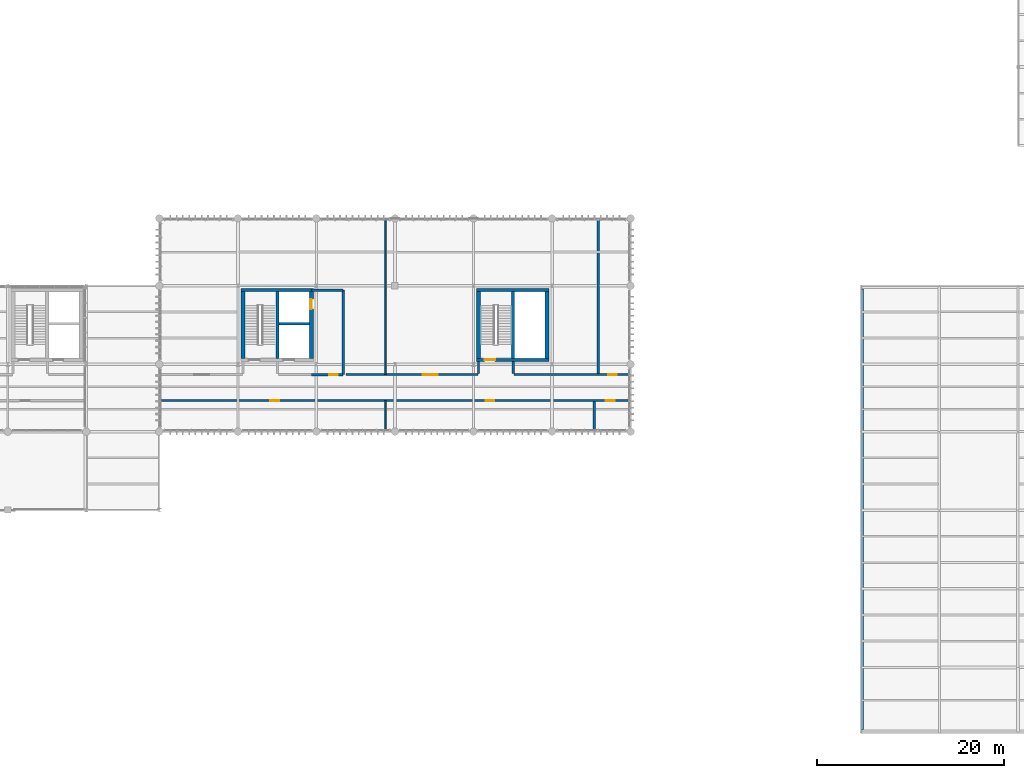
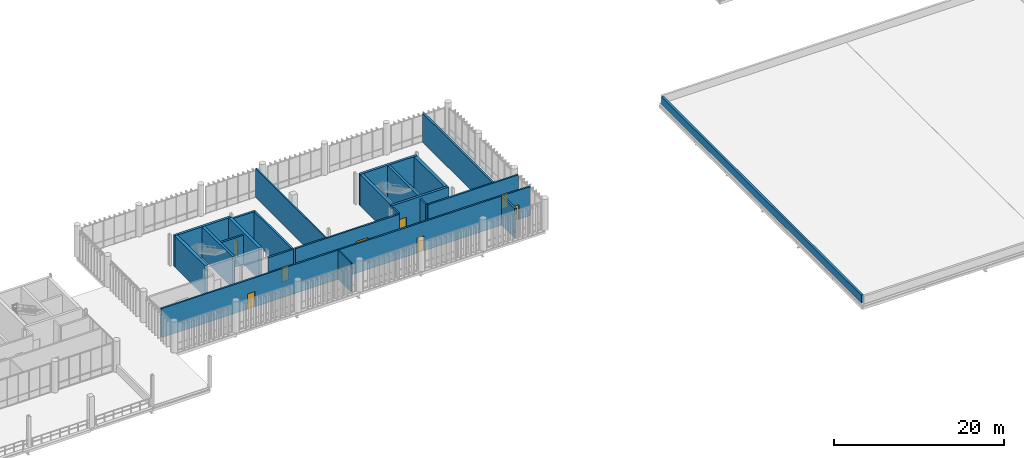
# One storey, part 58 of 68: 23 walls, 8 doors, 8 openings.
"""IFC4 building model written with IfcOpenShell, lengths in metres."""

from ifc_helpers import new_model, si_unit, direction, frame, frame_2d, origin_with_axes, place, context, subcontext, project, spatial, rectangle, extrude, material, layer, layer_set, type_object, element, fill, save


model = new_model("IFC4")

# Units and contexts
model_context = context("Model", 3, precision=1e-05, world=origin_with_axes(), true_north=direction((0.0, 1.0)))
body_context = subcontext(model_context, "Body", "Model", "MODEL_VIEW")
ifc_project = project(units=[si_unit("LENGTHUNIT", "METRE"), si_unit("AREAUNIT", "SQUARE_METRE"), si_unit("VOLUMEUNIT", "CUBIC_METRE"), si_unit("PLANEANGLEUNIT", "RADIAN"), si_unit("MASSUNIT", "GRAM", prefix="KILO"), si_unit("THERMODYNAMICTEMPERATUREUNIT", "KELVIN")], contexts=[model_context])

# Site, building, storey
site_placement = place(None, origin_with_axes())
site = spatial("IfcSite", under=ifc_project, at=site_placement, CompositionType="ELEMENT")
building_placement = place(site_placement, origin_with_axes())
building = spatial("IfcBuilding", under=site, at=building_placement, Name="Montbau Bow Law Courts", CompositionType="ELEMENT")
storey_placement = place(building_placement, frame((0.0, 0.0, 20.4), z_axis=(0.0, 0.0, 1.0), x_axis=(1.0, 0.0, 0.0)))
storey = spatial("IfcBuildingStorey", under=building, at=storey_placement, Name="L04", CompositionType="ELEMENT", Elevation=20.4)

# Wall, opening, door
ifc_material_1 = material(Name="Concrete CSA A23.1 f'c 45 MPa", Category="concrete")
ifc_layer_1 = layer(ifc_material_1, 0.42, Name="Shear Wall", Category="concrete")
ifc_layer_set_1 = layer_set([ifc_layer_1], Name="Concrete CSA A23.1 f'c 45 MPa")
wall_type_1 = type_object("IfcWallType", Name="W-COR-03", PredefinedType="SHEAR", material=ifc_layer_set_1)
wall_1_placement = place(None, frame((63.06, 46.84, 20.4), z_axis=(0.0, 0.0, 1.0), x_axis=(0.0, 1.0, 0.0)))
wall_1 = element("IfcWall", 1, at=wall_1_placement, inside=storey, type_object=wall_type_1, Name="WC-L04-0180:wal_0247", PredefinedType="SHEAR", context=body_context, shape_type="SweptSolid", body=[
    extrude(rectangle(XDim=7.119999999999997, YDim=0.42, at=frame_2d((3.56, 0.0), x_axis=(1.0, 0.0))), origin_with_axes(), (0.0, 0.0, 1.0), 4.5),
])
opening_1_placement = place(None, frame((63.06, 52.64, 20.4), z_axis=(0.0, 0.0, 1.0), x_axis=(0.0, 1.0, 0.0)))
opening_1 = element("IfcOpeningElement", 2, at=opening_1_placement, cuts=wall_1, Name="OP-LD-L04-EL-J3", PredefinedType="OPENING", context=body_context, shape_type="SweptSolid", body=[
    extrude(rectangle(XDim=1.06, YDim=2.16, at=frame_2d((0.0, 1.08), x_axis=(1.0, 0.0))), frame((0.0, 0.22, 0.0), z_axis=(0.0, -1.0, 0.0), x_axis=(1.0, 0.0, 0.0)), (0.0, 0.0, 1.0), 0.44),
])
ifc_material_2 = material(Name="Bronze-Clad Judicial Elevator Landing Door", Category="steel")
door_type_1 = type_object("IfcDoorType", Name="LD-JUD-01", OperationType="NOTDEFINED", ParameterTakesPrecedence=False, PredefinedType="DOOR", material=ifc_material_2)
door_1_placement = place(None, frame((63.06, 52.64, 20.4), z_axis=(0.0, 0.0, 1.0), x_axis=(0.0, 1.0, 0.0)))
door_1 = element("IfcDoor", 3, at=door_1_placement, inside=storey, type_object=door_type_1, Name="LD-L04-EL-J3:dor_0111", OperationType="SLIDING_TO_LEFT", OverallHeight=2.16, OverallWidth=1.06, PredefinedType="DOOR", context=body_context, shape_type="SweptSolid", body=[
    extrude(rectangle(XDim=1.06, YDim=2.16, at=frame_2d((0.0, 1.08), x_axis=(1.0, 0.0))), frame((0.0, 0.04, 0.0), z_axis=(0.0, -1.0, 0.0), x_axis=(1.0, 0.0, 0.0)), (0.0, 0.0, 1.0), 0.08),
])
fill(opening_1, door_1)

# Walls
for number, where, z_axis, x_axis, name in (
    (4, (55.74, 53.96, 20.4), (0.0, 0.0, 1.0), (0.0, -1.0, 0.0), "WC-L04-0181:wal_0248"),
    (5, (88.26, 46.84, 20.4), (0.0, 0.0, 1.0), (0.0, 1.0, 0.0), "WC-L04-0241:wal_0308"),
    (6, (80.94, 53.96, 20.4), (0.0, 0.0, 1.0), (0.0, -1.0, 0.0), "WC-L04-0242:wal_0309"),
):
    element("IfcWall", number, at=place(None, frame(where, z_axis=z_axis, x_axis=x_axis)), inside=storey, type_object=wall_type_1, Name=name, PredefinedType="SHEAR", context=body_context, shape_type="SweptSolid", body=[
        extrude(rectangle(XDim=7.119999999999997, YDim=0.42, at=frame_2d((3.56, 0.0), x_axis=(1.0, 0.0))), origin_with_axes(), (0.0, 0.0, 1.0), 4.5),
    ])
ifc_layer_2 = layer(ifc_material_1, 0.32, Name="Shear Wall", Category="concrete")
ifc_layer_set_2 = layer_set([ifc_layer_2], Name="Concrete CSA A23.1 f'c 45 MPa")
wall_type_2 = type_object("IfcWallType", Name="W-COR-05", PredefinedType="SHEAR", material=ifc_layer_set_2)
wall_2_placement = place(None, frame((63.27, 54.12, 20.4), z_axis=(0.0, 0.0, 1.0), x_axis=(-1.0, 0.0, 0.0)))
element("IfcWall", 7, at=wall_2_placement, inside=storey, type_object=wall_type_2, Name="WC-L04-0179:wal_0246", PredefinedType="SHEAR", context=body_context, shape_type="SweptSolid", body=[
    extrude(rectangle(XDim=7.740000000000002, YDim=0.32, at=frame_2d((3.87, 0.0), x_axis=(1.0, 0.0))), origin_with_axes(), (0.0, 0.0, 1.0), 4.5),
])
wall_3_placement = place(None, frame((59.42, 46.84, 20.4), z_axis=(0.0, 0.0, 1.0), x_axis=(0.0, 1.0, 0.0)))
element("IfcWall", 8, at=wall_3_placement, inside=storey, type_object=wall_type_2, Name="WS-L04-0182:wal_0249", PredefinedType="SHEAR", context=body_context, shape_type="SweptSolid", body=[
    extrude(rectangle(XDim=7.119999999999997, YDim=0.32, at=frame_2d((3.56, 0.0), x_axis=(1.0, 0.0))), origin_with_axes(), (0.0, 0.0, 1.0), 4.5),
])

# Wall, opening, door
wall_4_placement = place(None, frame((80.73, 46.68, 20.4), z_axis=(0.0, 0.0, 1.0), x_axis=(1.0, 0.0, 0.0)))
wall_4 = element("IfcWall", 9, at=wall_4_placement, inside=storey, type_object=wall_type_2, Name="WC-L04-0239:wal_0306", PredefinedType="SHEAR", context=body_context, shape_type="SweptSolid", body=[
    extrude(rectangle(XDim=7.739999999999995, YDim=0.32, at=frame_2d((3.87, 0.0), x_axis=(1.0, 0.0))), origin_with_axes(), (0.0, 0.0, 1.0), 4.5),
])
opening_2_placement = place(None, frame((82.15, 46.68, 20.4), z_axis=(0.0, 0.0, 1.0), x_axis=(1.0, 0.0, 0.0)))
opening_2 = element("IfcOpeningElement", 10, at=opening_2_placement, cuts=wall_4, Name="OP-D-L04-ST-P3", PredefinedType="OPENING", context=body_context, shape_type="SweptSolid", body=[
    extrude(rectangle(XDim=1.14, YDim=2.18, at=frame_2d((0.0, 1.09), x_axis=(1.0, 0.0))), frame((0.0, 0.17, 0.0), z_axis=(0.0, -1.0, 0.0), x_axis=(1.0, 0.0, 0.0)), (0.0, 0.0, 1.0), 0.34),
])
ifc_material_3 = material(Name="1.5 h Fire-Rated Hollow-Metal Exit Stair Door", Category="steel")
door_type_2 = type_object("IfcDoorType", Name="D-ST-01", OperationType="NOTDEFINED", ParameterTakesPrecedence=False, PredefinedType="DOOR", material=ifc_material_3)
door_2_placement = place(None, frame((82.15, 46.68, 20.4), z_axis=(0.0, 0.0, 1.0), x_axis=(-1.0, 0.0, 0.0)))
door_2 = element("IfcDoor", 11, at=door_2_placement, inside=storey, type_object=door_type_2, Name="D-L04-ST-P3:dor_0130", OperationType="SINGLE_SWING_RIGHT", OverallHeight=2.18, OverallWidth=1.14, PredefinedType="DOOR", context=body_context, shape_type="SweptSolid", body=[
    extrude(rectangle(XDim=1.14, YDim=2.18, at=frame_2d((0.0, 1.09), x_axis=(1.0, 0.0))), frame((0.0, 0.04, 0.0), z_axis=(0.0, -1.0, 0.0), x_axis=(1.0, 0.0, 0.0)), (0.0, 0.0, 1.0), 0.08),
])
fill(opening_2, door_2)

# Walls
wall_5_placement = place(None, frame((88.47, 54.12, 20.4), z_axis=(0.0, 0.0, 1.0), x_axis=(-1.0, 0.0, 0.0)))
element("IfcWall", 12, at=wall_5_placement, inside=storey, type_object=wall_type_2, Name="WC-L04-0240:wal_0307", PredefinedType="SHEAR", context=body_context, shape_type="SweptSolid", body=[
    extrude(rectangle(XDim=7.739999999999995, YDim=0.32, at=frame_2d((3.87, 0.0), x_axis=(1.0, 0.0))), origin_with_axes(), (0.0, 0.0, 1.0), 4.5),
])
wall_6_placement = place(None, frame((84.62, 46.84, 20.4), z_axis=(0.0, 0.0, 1.0), x_axis=(0.0, 1.0, 0.0)))
element("IfcWall", 13, at=wall_6_placement, inside=storey, type_object=wall_type_2, Name="WS-L04-0243:wal_0310", PredefinedType="SHEAR", context=body_context, shape_type="SweptSolid", body=[
    extrude(rectangle(XDim=7.119999999999997, YDim=0.32, at=frame_2d((3.56, 0.0), x_axis=(1.0, 0.0))), origin_with_axes(), (0.0, 0.0, 1.0), 4.5),
])
ifc_material_4 = material(Name="Insulated Terracotta-Coping Terrace Parapet Assembly", Category="masonry")
ifc_layer_3 = layer(ifc_material_4, 0.28, Name="Parapet", Category="masonry")
ifc_layer_set_3 = layer_set([ifc_layer_3], Name="Insulated Terracotta-Coping Terrace Parapet Assembly")
wall_type_3 = type_object("IfcWallType", Name="W-PAR-02", PredefinedType="PARAPET", material=ifc_layer_set_3)
wall_7_placement = place(None, frame((121.95, 54.25, 20.4), z_axis=(0.0, 0.0, 1.0), x_axis=(0.0, -1.0, 0.0)))
element("IfcWall", 14, at=wall_7_placement, inside=storey, type_object=wall_type_3, Name="PAR-L04-11:par_0020", PredefinedType="PARAPET", context=body_context, shape_type="SweptSolid", body=[
    extrude(rectangle(XDim=47.1, YDim=0.28, at=frame_2d((23.55, 0.0), x_axis=(1.0, 0.0))), origin_with_axes(), (0.0, 0.0, 1.0), 1.15),
])
ifc_material_5 = material(Name="Double-Stud Acoustic Plumbing Chase Gypsum Assembly", Category="gypsum")
ifc_layer_4 = layer(ifc_material_5, 0.26, Name="Plumbing Wall", Category="gypsum")
ifc_layer_set_4 = layer_set([ifc_layer_4], Name="Double-Stud Acoustic Plumbing Chase Gypsum Assembly")
wall_type_4 = type_object("IfcWallType", Name="W-PLM-01", PredefinedType="PLUMBINGWALL", material=ifc_layer_set_4)
wall_8_placement = place(None, frame((93.74, 45.19, 20.4), z_axis=(0.0, 0.0, 1.0), x_axis=(0.0, 1.0, 0.0)))
element("IfcWall", 15, at=wall_8_placement, inside=storey, type_object=wall_type_4, Name="WD-L04-0833:wal_0900", PredefinedType="PLUMBINGWALL", context=body_context, shape_type="SweptSolid", body=[
    extrude(rectangle(XDim=16.43, YDim=0.26, at=frame_2d((8.215, 0.0), x_axis=(1.0, 0.0))), origin_with_axes(), (0.0, 0.0, 1.0), 4.18),
])
wall_9_placement = place(None, frame((93.29, 39.18, 20.4), z_axis=(0.0, 0.0, 1.0), x_axis=(0.0, 1.0, 0.0)))
element("IfcWall", 16, at=wall_9_placement, inside=storey, type_object=wall_type_4, Name="WD-L04-0834:wal_0901", PredefinedType="PLUMBINGWALL", context=body_context, shape_type="SweptSolid", body=[
    extrude(rectangle(XDim=3.030000000000001, YDim=0.26, at=frame_2d((1.515, 0.0), x_axis=(1.0, 0.0))), origin_with_axes(), (0.0, 0.0, 1.0), 4.18),
])
ifc_material_6 = material(Name="2 h Shaft and Exit-Passage Fire Separation Partition", Category="gypsum")
ifc_layer_5 = layer(ifc_material_6, 0.25, Name="Partition", Category="gypsum")
ifc_layer_set_5 = layer_set([ifc_layer_5], Name="2 h Shaft and Exit-Passage Fire Separation Partition")
wall_type_5 = type_object("IfcWallType", Name="W-PRT-01", PredefinedType="PARTITIONING", material=ifc_layer_set_5)
wall_10_placement = place(None, frame((59.58, 50.549, 20.4), z_axis=(0.0, 0.0, 1.0), x_axis=(1.0, 0.0, 0.0)))
element("IfcWall", 17, at=wall_10_placement, inside=storey, type_object=wall_type_5, Name="WS-L04-0183:wal_0250", PredefinedType="PARTITIONING", context=body_context, shape_type="SweptSolid", body=[
    extrude(rectangle(XDim=3.270000000000003, YDim=0.25, at=frame_2d((1.635, 0.0), x_axis=(1.0, 0.0))), origin_with_axes(), (0.0, 0.0, 1.0), 4.18),
])
wall_11_placement = place(None, frame((66.46, 45.09, 20.4), z_axis=(0.0, 0.0, 1.0), x_axis=(0.0, 1.0, 0.0)))
element("IfcWall", 18, at=wall_11_placement, inside=storey, type_object=wall_type_5, Name="WEL-L04-0184:wal_0251", PredefinedType="PARTITIONING", context=body_context, shape_type="SweptSolid", body=[
    extrude(rectangle(XDim=9.029999999999994, YDim=0.25, at=frame_2d((4.515, 0.0), x_axis=(1.0, 0.0))), origin_with_axes(), (0.0, 0.0, 1.0), 4.18),
])
wall_12_placement = place(None, frame((63.1, 54.12, 20.4), z_axis=(0.0, 0.0, 1.0), x_axis=(1.0, 0.0, 0.0)))
element("IfcWall", 19, at=wall_12_placement, inside=storey, type_object=wall_type_5, Name="WEL-L04-0185:wal_0252", PredefinedType="PARTITIONING", context=body_context, shape_type="SweptSolid", body=[
    extrude(rectangle(XDim=3.3599999999999923, YDim=0.25, at=frame_2d((1.68, 0.0), x_axis=(1.0, 0.0))), origin_with_axes(), (0.0, 0.0, 1.0), 4.18),
])

# Wall, opening, door
wall_13_placement = place(None, frame((63.1, 45.09, 20.4), z_axis=(0.0, 0.0, 1.0), x_axis=(1.0, 0.0, 0.0)))
wall_13 = element("IfcWall", 20, at=wall_13_placement, inside=storey, type_object=wall_type_5, Name="WEL-L04-0186:wal_0253", PredefinedType="PARTITIONING", context=body_context, shape_type="SweptSolid", body=[
    extrude(rectangle(XDim=3.3599999999999923, YDim=0.25, at=frame_2d((1.68, 0.0), x_axis=(1.0, 0.0))), origin_with_axes(), (0.0, 0.0, 1.0), 4.18),
])
opening_3_placement = place(None, frame((65.405, 45.09, 20.4), z_axis=(0.0, 0.0, 1.0), x_axis=(1.0, 0.0, 0.0)))
opening_3 = element("IfcOpeningElement", 21, at=opening_3_placement, cuts=wall_13, Name="OP-D-L04-ELB-CORE-C1", PredefinedType="OPENING", context=body_context, shape_type="SweptSolid", body=[
    extrude(rectangle(XDim=0.91, YDim=2.12, at=frame_2d((0.0, 1.06), x_axis=(1.0, 0.0))), frame((0.0, 0.135, 0.0), z_axis=(0.0, -1.0, 0.0), x_axis=(1.0, 0.0, 0.0)), (0.0, 0.0, 1.0), 0.27),
])
ifc_material_7 = material(Name="Public and Judicial Washroom Solid-Core Door", Category="wood")
door_type_3 = type_object("IfcDoorType", Name="D-WC-02", OperationType="NOTDEFINED", ParameterTakesPrecedence=False, PredefinedType="DOOR", material=ifc_material_7)
door_3_placement = place(None, frame((65.405, 45.09, 20.4), z_axis=(0.0, 0.0, 1.0), x_axis=(1.0, 0.0, 0.0)))
door_3 = element("IfcDoor", 22, at=door_3_placement, inside=storey, type_object=door_type_3, Name="D-L04-ELB-CORE-C1:dor_0112", OperationType="SINGLE_SWING_LEFT", OverallHeight=2.12, OverallWidth=0.91, PredefinedType="DOOR", context=body_context, shape_type="SweptSolid", body=[
    extrude(rectangle(XDim=0.91, YDim=2.12, at=frame_2d((0.0, 1.06), x_axis=(1.0, 0.0))), frame((0.0, 0.04, 0.0), z_axis=(0.0, -1.0, 0.0), x_axis=(1.0, 0.0, 0.0)), (0.0, 0.0, 1.0), 0.08),
])
fill(opening_3, door_3)

# Walls
ifc_material_8 = material(Name="STC-60 High-Acoustic Courtroom Perimeter Partition", Category="gypsum")
ifc_layer_6 = layer(ifc_material_8, 0.22, Name="Partition", Category="gypsum")
ifc_layer_set_6 = layer_set([ifc_layer_6], Name="STC-60 High-Acoustic Courtroom Perimeter Partition")
wall_type_6 = type_object("IfcWallType", Name="W-PRT-02", PredefinedType="PARTITIONING", material=ifc_layer_set_6)
for number, where, z_axis, x_axis, name in (
    (23, (80.94, 45.22, 20.4), (0.0, 0.0, 1.0), (0.0, 1.0, 0.0), "WCX-L04-0826:wal_0893"),
    (24, (84.65, 45.22, 20.4), (0.0, 0.0, 1.0), (0.0, 1.0, 0.0), "WCX-L04-0827:wal_0894"),
):
    element("IfcWall", number, at=place(None, frame(where, z_axis=z_axis, x_axis=x_axis)), inside=storey, type_object=wall_type_6, Name=name, PredefinedType="PARTITIONING", context=body_context, shape_type="SweptSolid", body=[
        extrude(rectangle(XDim=1.259999999999998, YDim=0.22, at=frame_2d((0.63, 0.0), x_axis=(1.0, 0.0))), origin_with_axes(), (0.0, 0.0, 1.0), 4.18),
    ])

# Wall, opening, door
wall_14_placement = place(None, frame((66.755, 45.09, 20.4), z_axis=(0.0, 0.0, 1.0), x_axis=(1.0, 0.0, 0.0)))
wall_14 = element("IfcWall", 25, at=wall_14_placement, inside=storey, type_object=wall_type_6, Name="WP-L04-0830:wal_0897", PredefinedType="PARTITIONING", context=body_context, shape_type="SweptSolid", body=[
    extrude(rectangle(XDim=14.14500000000001, YDim=0.22, at=frame_2d((7.0725, 0.0), x_axis=(1.0, 0.0))), origin_with_axes(), (0.0, 0.0, 1.0), 4.18),
])
opening_4_placement = place(None, frame((75.789, 45.09, 20.4), z_axis=(0.0, 0.0, 1.0), x_axis=(1.0, 0.0, 0.0)))
opening_4 = element("IfcOpeningElement", 26, at=opening_4_placement, cuts=wall_14, Name="OP-D-L04-347", PredefinedType="OPENING", context=body_context, shape_type="SweptSolid", body=[
    extrude(rectangle(XDim=1.6, YDim=2.32, at=frame_2d((0.0, 1.16), x_axis=(1.0, 0.0))), frame((0.0, 0.12, 0.0), z_axis=(0.0, -1.0, 0.0), x_axis=(1.0, 0.0, 0.0)), (0.0, 0.0, 1.0), 0.24),
])
ifc_material_9 = material(Name="Jury Assembly Lounge Glazed Oak Double Door", Category="wood")
door_type_4 = type_object("IfcDoorType", Name="D-JUR-02", OperationType="NOTDEFINED", ParameterTakesPrecedence=False, PredefinedType="DOOR", material=ifc_material_9)
door_4_placement = place(None, frame((75.789, 45.09, 20.4), z_axis=(0.0, 0.0, 1.0), x_axis=(-1.0, 0.0, 0.0)))
door_4 = element("IfcDoor", 27, at=door_4_placement, inside=storey, type_object=door_type_4, Name="D-L04-347:dor_0382", OperationType="DOUBLE_DOOR_SINGLE_SWING", OverallHeight=2.32, OverallWidth=1.6, PredefinedType="DOOR", context=body_context, shape_type="SweptSolid", body=[
    extrude(rectangle(XDim=1.6, YDim=2.32, at=frame_2d((0.0, 1.16), x_axis=(1.0, 0.0))), frame((0.0, 0.04, 0.0), z_axis=(0.0, -1.0, 0.0), x_axis=(1.0, 0.0, 0.0)), (0.0, 0.0, 1.0), 0.08),
])
fill(opening_4, door_4)

wall_15_placement = place(None, frame((84.75, 45.09, 20.4), z_axis=(0.0, 0.0, 1.0), x_axis=(1.0, 0.0, 0.0)))
wall_15 = element("IfcWall", 28, at=wall_15_placement, inside=storey, type_object=wall_type_6, Name="WP-L04-0831:wal_0898", PredefinedType="PARTITIONING", context=body_context, shape_type="SweptSolid", body=[
    extrude(rectangle(XDim=12.310000000000002, YDim=0.22, at=frame_2d((6.155, 0.0), x_axis=(1.0, 0.0))), origin_with_axes(), (0.0, 0.0, 1.0), 4.18),
])
opening_5_placement = place(None, frame((95.238, 45.09, 20.4), z_axis=(0.0, 0.0, 1.0), x_axis=(1.0, 0.0, 0.0)))
opening_5 = element("IfcOpeningElement", 29, at=opening_5_placement, cuts=wall_15, Name="OP-D-L04-348", PredefinedType="OPENING", context=body_context, shape_type="SweptSolid", body=[
    extrude(rectangle(XDim=0.91, YDim=2.12, at=frame_2d((0.0, 1.06), x_axis=(1.0, 0.0))), frame((0.0, 0.12, 0.0), z_axis=(0.0, -1.0, 0.0), x_axis=(1.0, 0.0, 0.0)), (0.0, 0.0, 1.0), 0.24),
])
door_5_placement = place(None, frame((95.238, 45.09, 20.4), z_axis=(0.0, 0.0, 1.0), x_axis=(-1.0, 0.0, 0.0)))
door_5 = element("IfcDoor", 30, at=door_5_placement, inside=storey, type_object=door_type_3, Name="D-L04-348:dor_0383", OperationType="SINGLE_SWING_RIGHT", OverallHeight=2.12, OverallWidth=0.91, PredefinedType="DOOR", context=body_context, shape_type="SweptSolid", body=[
    extrude(rectangle(XDim=0.91, YDim=2.12, at=frame_2d((0.0, 1.06), x_axis=(1.0, 0.0))), frame((0.0, 0.04, 0.0), z_axis=(0.0, -1.0, 0.0), x_axis=(1.0, 0.0, 0.0)), (0.0, 0.0, 1.0), 0.08),
])
fill(opening_5, door_5)

# Wall, openings, doors
wall_16_placement = place(None, frame((46.94, 42.31, 20.4), z_axis=(0.0, 0.0, 1.0), x_axis=(1.0, 0.0, 0.0)))
wall_16 = element("IfcWall", 31, at=wall_16_placement, inside=storey, type_object=wall_type_6, Name="WP-L04-0832:wal_0899", PredefinedType="PARTITIONING", context=body_context, shape_type="SweptSolid", body=[
    extrude(rectangle(XDim=50.120000000000005, YDim=0.22, at=frame_2d((25.06, 0.0), x_axis=(1.0, 0.0))), origin_with_axes(), (0.0, 0.0, 1.0), 4.18),
])
opening_6_placement = place(None, frame((59.132, 42.31, 20.4), z_axis=(0.0, 0.0, 1.0), x_axis=(1.0, 0.0, 0.0)))
opening_6 = element("IfcOpeningElement", 32, at=opening_6_placement, cuts=wall_16, Name="OP-D-L04-349", PredefinedType="OPENING", context=body_context, shape_type="SweptSolid", body=[
    extrude(rectangle(XDim=0.96, YDim=2.2, at=frame_2d((0.0, 1.1), x_axis=(1.0, 0.0))), frame((0.0, 0.12, 0.0), z_axis=(0.0, -1.0, 0.0), x_axis=(1.0, 0.0, 0.0)), (0.0, 0.0, 1.0), 0.24),
])
opening_7_placement = place(None, frame((82.145, 42.31, 20.4), z_axis=(0.0, 0.0, 1.0), x_axis=(1.0, 0.0, 0.0)))
opening_7 = element("IfcOpeningElement", 33, at=opening_7_placement, cuts=wall_16, Name="OP-D-L04-350", PredefinedType="OPENING", context=body_context, shape_type="SweptSolid", body=[
    extrude(rectangle(XDim=0.92, YDim=2.14, at=frame_2d((0.0, 1.07), x_axis=(1.0, 0.0))), frame((0.0, 0.12, 0.0), z_axis=(0.0, -1.0, 0.0), x_axis=(1.0, 0.0, 0.0)), (0.0, 0.0, 1.0), 0.24),
])
opening_8_placement = place(None, frame((95.013, 42.31, 20.4), z_axis=(0.0, 0.0, 1.0), x_axis=(1.0, 0.0, 0.0)))
opening_8 = element("IfcOpeningElement", 34, at=opening_8_placement, cuts=wall_16, Name="OP-D-L04-351", PredefinedType="OPENING", context=body_context, shape_type="SweptSolid", body=[
    extrude(rectangle(XDim=0.95, YDim=2.1, at=frame_2d((0.0, 1.05), x_axis=(1.0, 0.0))), frame((0.0, 0.12, 0.0), z_axis=(0.0, -1.0, 0.0), x_axis=(1.0, 0.0, 0.0)), (0.0, 0.0, 1.0), 0.24),
])
ifc_material_10 = material(Name="Resident Judge Chambers Solid White-Oak Door", Category="wood")
door_type_5 = type_object("IfcDoorType", Name="D-CHM-01", OperationType="NOTDEFINED", ParameterTakesPrecedence=False, PredefinedType="DOOR", material=ifc_material_10)
door_6_placement = place(None, frame((59.132, 42.31, 20.4), z_axis=(0.0, 0.0, 1.0), x_axis=(1.0, 0.0, 0.0)))
door_6 = element("IfcDoor", 35, at=door_6_placement, inside=storey, type_object=door_type_5, Name="D-L04-349:dor_0384", OperationType="SINGLE_SWING_LEFT", OverallHeight=2.2, OverallWidth=0.96, PredefinedType="DOOR", context=body_context, shape_type="SweptSolid", body=[
    extrude(rectangle(XDim=0.96, YDim=2.2, at=frame_2d((0.0, 1.1), x_axis=(1.0, 0.0))), frame((0.0, 0.04, 0.0), z_axis=(0.0, -1.0, 0.0), x_axis=(1.0, 0.0, 0.0)), (0.0, 0.0, 1.0), 0.08),
])
fill(opening_6, door_6)
ifc_material_11 = material(Name="Judicial Law Clerk and Registry Office Oak Door", Category="wood")
door_type_6 = type_object("IfcDoorType", Name="D-OFF-01", OperationType="NOTDEFINED", ParameterTakesPrecedence=False, PredefinedType="DOOR", material=ifc_material_11)
door_7_placement = place(None, frame((82.145, 42.31, 20.4), z_axis=(0.0, 0.0, 1.0), x_axis=(1.0, 0.0, 0.0)))
door_7 = element("IfcDoor", 36, at=door_7_placement, inside=storey, type_object=door_type_6, Name="D-L04-350:dor_0385", OperationType="SINGLE_SWING_RIGHT", OverallHeight=2.14, OverallWidth=0.92, PredefinedType="DOOR", context=body_context, shape_type="SweptSolid", body=[
    extrude(rectangle(XDim=0.92, YDim=2.14, at=frame_2d((0.0, 1.07), x_axis=(1.0, 0.0))), frame((0.0, 0.04, 0.0), z_axis=(0.0, -1.0, 0.0), x_axis=(1.0, 0.0, 0.0)), (0.0, 0.0, 1.0), 0.08),
])
fill(opening_7, door_7)
ifc_material_12 = material(Name="CSA B651 Universal Barrier-Free Washroom Door", Category="wood")
door_type_7 = type_object("IfcDoorType", Name="D-WC-01", OperationType="NOTDEFINED", ParameterTakesPrecedence=False, PredefinedType="DOOR", material=ifc_material_12)
door_8_placement = place(None, frame((95.013, 42.31, 20.4), z_axis=(0.0, 0.0, 1.0), x_axis=(1.0, 0.0, 0.0)))
door_8 = element("IfcDoor", 37, at=door_8_placement, inside=storey, type_object=door_type_7, Name="D-L04-351:dor_0386", OperationType="SINGLE_SWING_LEFT", OverallHeight=2.1, OverallWidth=0.95, PredefinedType="DOOR", context=body_context, shape_type="SweptSolid", body=[
    extrude(rectangle(XDim=0.95, YDim=2.1, at=frame_2d((0.0, 1.05), x_axis=(1.0, 0.0))), frame((0.0, 0.04, 0.0), z_axis=(0.0, -1.0, 0.0), x_axis=(1.0, 0.0, 0.0)), (0.0, 0.0, 1.0), 0.08),
])
fill(opening_8, door_8)

# Walls
ifc_material_13 = material(Name="STC-52 Judicial Chambers Acoustic Partition", Category="gypsum")
ifc_layer_7 = layer(ifc_material_13, 0.16, Name="Partition", Category="gypsum")
ifc_layer_set_7 = layer_set([ifc_layer_7], Name="STC-52 Judicial Chambers Acoustic Partition")
wall_type_7 = type_object("IfcWallType", Name="W-PRT-05", PredefinedType="PARTITIONING", material=ifc_layer_set_7)
wall_17_placement = place(None, frame((71.001, 45.09, 20.4), z_axis=(0.0, 0.0, 1.0), x_axis=(0.0, 1.0, 0.0)))
element("IfcWall", 38, at=wall_17_placement, inside=storey, type_object=wall_type_7, Name="WD-L04-0835:wal_0902", PredefinedType="PARTITIONING", context=body_context, shape_type="SweptSolid", body=[
    extrude(rectangle(XDim=16.569999999999993, YDim=0.16, at=frame_2d((8.285, 0.0), x_axis=(1.0, 0.0))), origin_with_axes(), (0.0, 0.0, 1.0), 4.18),
])
ifc_material_14 = material(Name="1 h Registry Office Steel-Stud Fire Partition", Category="gypsum")
ifc_layer_8 = layer(ifc_material_14, 0.14, Name="Partition", Category="gypsum")
ifc_layer_set_8 = layer_set([ifc_layer_8], Name="1 h Registry Office Steel-Stud Fire Partition")
wall_type_8 = type_object("IfcWallType", Name="W-PRT-06", PredefinedType="PARTITIONING", material=ifc_layer_set_8)
wall_18_placement = place(None, frame((71.001, 39.14, 20.4), z_axis=(0.0, 0.0, 1.0), x_axis=(0.0, 1.0, 0.0)))
element("IfcWall", 39, at=wall_18_placement, inside=storey, type_object=wall_type_8, Name="WD-L04-0836:wal_0903", PredefinedType="PARTITIONING", context=body_context, shape_type="SweptSolid", body=[
    extrude(rectangle(XDim=3.1700000000000017, YDim=0.14, at=frame_2d((1.585, 0.0), x_axis=(1.0, 0.0))), origin_with_axes(), (0.0, 0.0, 1.0), 4.18),
])

save(model, "model.ifc")
